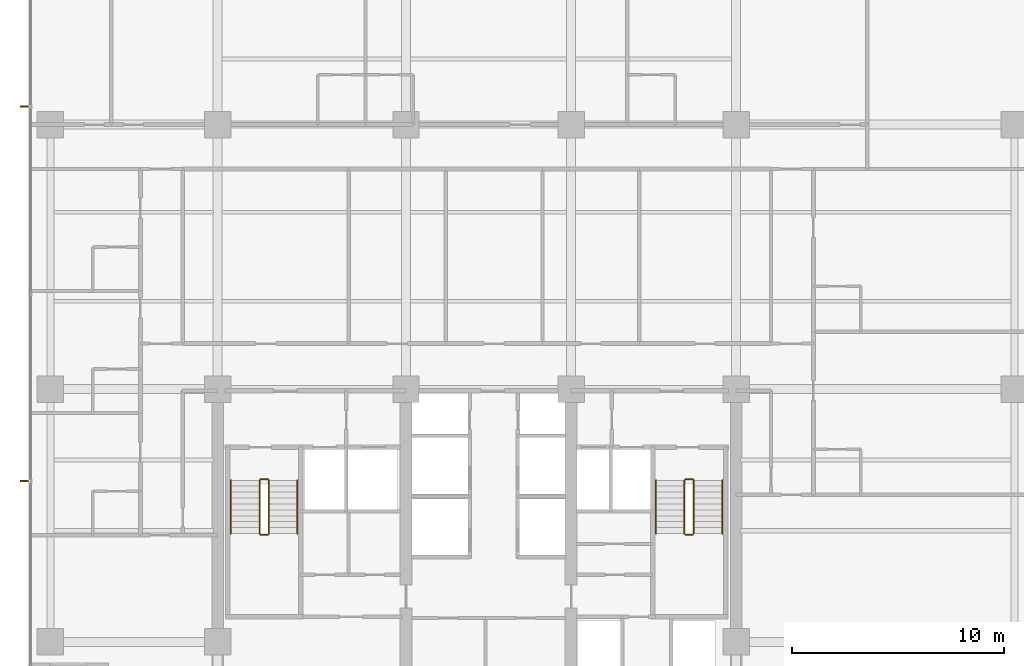
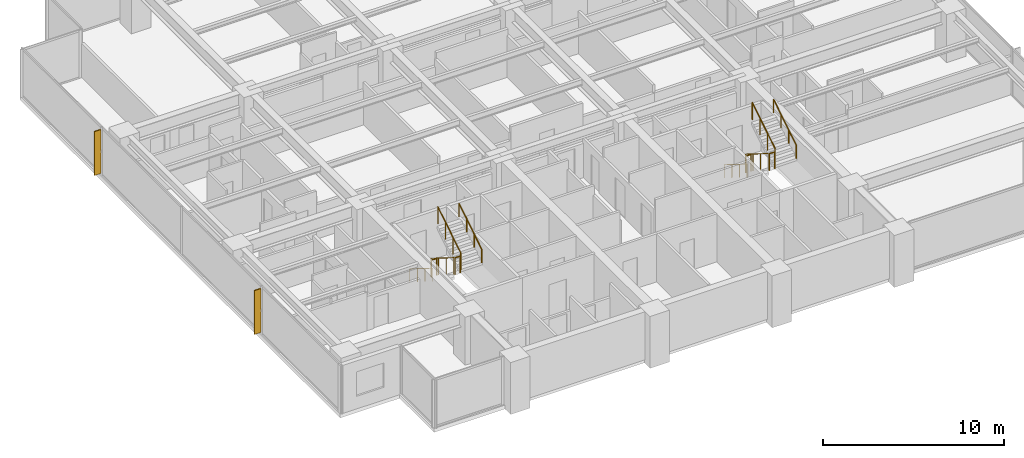
# One storey, part 16 of 17: 12 railings, 2 shading devices.
"""IFC4 building model written with IfcOpenShell, lengths in metres."""

from ifc_helpers import new_model, si_unit, direction, frame, origin, origin_2d, place, context, subcontext, project, spatial, polyline, circle, outline, extrude, material, layer, layer_set, type_object, element, save


model = new_model("IFC4")

# Units and contexts
model_context = context("Model", 3, precision=1e-05, world=origin(), true_north=direction((0.0, 1.0)))
body_context = subcontext(model_context, "Body", "Model", "MODEL_VIEW")
ifc_project = project(units=[si_unit("LENGTHUNIT", "METRE"), si_unit("AREAUNIT", "SQUARE_METRE"), si_unit("VOLUMEUNIT", "CUBIC_METRE"), si_unit("PLANEANGLEUNIT", "RADIAN"), si_unit("MASSUNIT", "GRAM", prefix="KILO")], contexts=[model_context])

# Site, building, storey
site_placement = place(None, origin())
site = spatial("IfcSite", under=ifc_project, at=site_placement, CompositionType="ELEMENT")
building_placement = place(site_placement, origin())
building = spatial("IfcBuilding", under=site, at=building_placement, Name="Qalmaran Belvedere Hotel", CompositionType="ELEMENT")
storey_placement = place(building_placement, frame((0.0, 0.0, 112.699951171875)))
storey = spatial("IfcBuildingStorey", under=building, at=storey_placement, Name="L28", CompositionType="ELEMENT", Elevation=112.699951171875)

# Shading devices
ifc_material_1 = material(Name="Anodised Bronze Aluminium", Category="aluminium")
ifc_layer = layer(ifc_material_1, 0.06494140625, Name="Anodised Bronze Aluminium")
ifc_layer_set = layer_set([ifc_layer], Name="Anodised Bronze Aluminium")
shading_device_type = type_object("IfcShadingDeviceType", Name="FIN-BRNZ-420", PredefinedType="USERDEFINED", material=ifc_layer_set)
shading_device_1_placement = place(storey_placement, frame((0.0, 0.0, 0.16015625)))
element("IfcShadingDevice", 1, at=shading_device_1_placement, inside=storey, type_object=shading_device_type, Name="L28 Bronze Fin 1", ObjectType="FIN", PredefinedType="USERDEFINED", context=body_context, shape_type="SweptSolid", body=[
    extrude(outline(polyline([(11.3798828125, 33.882568359375), (10.9599609375, 33.882568359375), (10.9599609375, 33.8173828125), (11.3798828125, 33.8173828125), (11.3798828125, 33.882568359375)])), origin(), (0.0, 0.0, 1.0), 2.9599609375),
])
shading_device_2_placement = place(storey_placement, frame((0.0, 0.0, 0.16015625)))
element("IfcShadingDevice", 2, at=shading_device_2_placement, inside=storey, type_object=shading_device_type, Name="L28 Bronze Fin 3", ObjectType="FIN", PredefinedType="USERDEFINED", context=body_context, shape_type="SweptSolid", body=[
    extrude(outline(polyline([(11.3798828125, 16.1826171875), (10.9599609375, 16.1826171875), (10.9599609375, 16.117431640625), (11.3798828125, 16.117431640625), (11.3798828125, 16.1826171875)])), origin(), (0.0, 0.0, 1.0), 2.9599609375),
])

# Railings
ifc_material_2 = material(Name="Stainless Steel 1.4401", Category="steel")
railing_type_1 = type_object("IfcRailingType", Name="RLG-STAIR-GUARD-1150", PredefinedType="GUARDRAIL", material=ifc_material_2)
railing_1_placement = place(storey_placement, frame((22.280029296875, 16.18994140625, 0.175048828125)))
element("IfcRailing", 3, at=railing_1_placement, inside=storey, type_object=railing_type_1, Name="L28 ST-1 stair guard 1", PredefinedType="GUARDRAIL", context=body_context, shape_type="SweptSolid", body=[
    extrude(circle(Radius=0.02392578125, at=origin_2d()), frame((0.0, 0.0, 1.1259765625), z_axis=(0.0, -0.848007534815, 0.529984170421), x_axis=(1.0, 0.0, 0.0)), (0.0, 0.0, 1.0), 2.9716796875),
    extrude(circle(Radius=0.02099609375, at=origin_2d()), origin(), (0.0, 0.0, 1.0), 1.101806640625),
    extrude(circle(Radius=0.02099609375, at=origin_2d()), frame((0.0, -0.840087890625, 0.52490234375)), (0.0, 0.0, 1.0), 1.101806640625),
    extrude(circle(Radius=0.02099609375, at=origin_2d()), frame((0.0, -1.679931640625, 1.050048828125)), (0.0, 0.0, 1.0), 1.101806640625),
    extrude(circle(Radius=0.02099609375, at=origin_2d()), frame((0.0, -2.52001953125, 1.574951171875)), (0.0, 0.0, 1.0), 1.101806640625),
])
railing_2_placement = place(storey_placement, frame((22.330078125, 13.6201171875, 1.75)))
element("IfcRailing", 4, at=railing_2_placement, inside=storey, type_object=railing_type_1, Name="L28 ST-1 stair guard 2", PredefinedType="GUARDRAIL", context=body_context, shape_type="SweptSolid", body=[
    extrude(circle(Radius=0.02392578125, at=origin_2d()), frame((0.0, 0.0, 1.1259765625), z_axis=(1.0, 0.0, 0.0), x_axis=(0.0, 1.0, 0.0)), (0.0, 0.0, 1.0), 0.33984375),
    extrude(circle(Radius=0.02099609375, at=origin_2d()), origin(), (0.0, 0.0, 1.0), 1.101806640625),
    extrude(circle(Radius=0.02099609375, at=origin_2d()), frame((0.33984375, 0.0, 0.0)), (0.0, 0.0, 1.0), 1.101806640625),
])
railing_3_placement = place(storey_placement, frame((22.719970703125, 13.669921875, 1.925048828125)))
element("IfcRailing", 5, at=railing_3_placement, inside=storey, type_object=railing_type_1, Name="L28 ST-1 stair guard 3", PredefinedType="GUARDRAIL", context=body_context, shape_type="SweptSolid", body=[
    extrude(circle(Radius=0.02392578125, at=origin_2d()), frame((0.0, 0.0, 1.1259765625), z_axis=(0.0, 0.848007534815, 0.529984170421), x_axis=(-1.0, 0.0, 0.0)), (0.0, 0.0, 1.0), 2.9716796875),
    extrude(circle(Radius=0.02099609375, at=origin_2d()), origin(), (0.0, 0.0, 1.0), 1.101806640625),
    extrude(circle(Radius=0.02099609375, at=origin_2d()), frame((0.0, 0.840087890625, 0.52490234375)), (0.0, 0.0, 1.0), 1.101806640625),
    extrude(circle(Radius=0.02099609375, at=origin_2d()), frame((0.0, 1.679931640625, 1.050048828125)), (0.0, 0.0, 1.0), 1.101806640625),
    extrude(circle(Radius=0.02099609375, at=origin_2d()), frame((0.0, 2.52001953125, 1.574951171875)), (0.0, 0.0, 1.0), 1.101806640625),
])
railing_4_placement = place(storey_placement, frame((22.330078125, 16.239990234375, 0.0)))
element("IfcRailing", 6, at=railing_4_placement, inside=storey, type_object=railing_type_1, Name="L28 ST-1 stair guard 4", PredefinedType="GUARDRAIL", context=body_context, shape_type="SweptSolid", body=[
    extrude(circle(Radius=0.02392578125, at=origin_2d()), frame((0.0, 0.0, 1.1259765625), z_axis=(1.0, 0.0, 0.0), x_axis=(0.0, 1.0, 0.0)), (0.0, 0.0, 1.0), 0.33984375),
    extrude(circle(Radius=0.02099609375, at=origin_2d()), origin(), (0.0, 0.0, 1.0), 1.101806640625),
    extrude(circle(Radius=0.02099609375, at=origin_2d()), frame((0.33984375, 0.0, 0.0)), (0.0, 0.0, 1.0), 1.101806640625),
])
railing_5_placement = place(storey_placement, frame((42.360107421875, 16.18994140625, 0.175048828125)))
element("IfcRailing", 7, at=railing_5_placement, inside=storey, type_object=railing_type_1, Name="L28 ST-2 stair guard 1", PredefinedType="GUARDRAIL", context=body_context, shape_type="SweptSolid", body=[
    extrude(circle(Radius=0.02392578125, at=origin_2d()), frame((0.0, 0.0, 1.1259765625), z_axis=(0.0, -0.848007534815, 0.529984170421), x_axis=(1.0, 0.0, 0.0)), (0.0, 0.0, 1.0), 2.9716796875),
    extrude(circle(Radius=0.02099609375, at=origin_2d()), origin(), (0.0, 0.0, 1.0), 1.101806640625),
    extrude(circle(Radius=0.02099609375, at=origin_2d()), frame((0.0, -0.840087890625, 0.52490234375)), (0.0, 0.0, 1.0), 1.101806640625),
    extrude(circle(Radius=0.02099609375, at=origin_2d()), frame((0.0, -1.679931640625, 1.050048828125)), (0.0, 0.0, 1.0), 1.101806640625),
    extrude(circle(Radius=0.02099609375, at=origin_2d()), frame((0.0, -2.52001953125, 1.574951171875)), (0.0, 0.0, 1.0), 1.101806640625),
])
railing_6_placement = place(storey_placement, frame((42.409912109375, 13.6201171875, 1.75)))
element("IfcRailing", 8, at=railing_6_placement, inside=storey, type_object=railing_type_1, Name="L28 ST-2 stair guard 2", PredefinedType="GUARDRAIL", context=body_context, shape_type="SweptSolid", body=[
    extrude(circle(Radius=0.02392578125, at=origin_2d()), frame((0.0, 0.0, 1.1259765625), z_axis=(1.0, 0.0, 0.0), x_axis=(0.0, 1.0, 0.0)), (0.0, 0.0, 1.0), 0.340087890625),
    extrude(circle(Radius=0.02099609375, at=origin_2d()), origin(), (0.0, 0.0, 1.0), 1.101806640625),
    extrude(circle(Radius=0.02099609375, at=origin_2d()), frame((0.340087890625, 0.0, 0.0)), (0.0, 0.0, 1.0), 1.101806640625),
])
railing_7_placement = place(storey_placement, frame((42.800048828125, 13.669921875, 1.925048828125)))
element("IfcRailing", 9, at=railing_7_placement, inside=storey, type_object=railing_type_1, Name="L28 ST-2 stair guard 3", PredefinedType="GUARDRAIL", context=body_context, shape_type="SweptSolid", body=[
    extrude(circle(Radius=0.02392578125, at=origin_2d()), frame((0.0, 0.0, 1.1259765625), z_axis=(0.0, 0.848007534815, 0.529984170421), x_axis=(-1.0, 0.0, 0.0)), (0.0, 0.0, 1.0), 2.9716796875),
    extrude(circle(Radius=0.02099609375, at=origin_2d()), origin(), (0.0, 0.0, 1.0), 1.101806640625),
    extrude(circle(Radius=0.02099609375, at=origin_2d()), frame((0.0, 0.840087890625, 0.52490234375)), (0.0, 0.0, 1.0), 1.101806640625),
    extrude(circle(Radius=0.02099609375, at=origin_2d()), frame((0.0, 1.679931640625, 1.050048828125)), (0.0, 0.0, 1.0), 1.101806640625),
    extrude(circle(Radius=0.02099609375, at=origin_2d()), frame((0.0, 2.52001953125, 1.574951171875)), (0.0, 0.0, 1.0), 1.101806640625),
])
railing_8_placement = place(storey_placement, frame((42.409912109375, 16.239990234375, 0.0)))
element("IfcRailing", 10, at=railing_8_placement, inside=storey, type_object=railing_type_1, Name="L28 ST-2 stair guard 4", PredefinedType="GUARDRAIL", context=body_context, shape_type="SweptSolid", body=[
    extrude(circle(Radius=0.02392578125, at=origin_2d()), frame((0.0, 0.0, 1.1259765625), z_axis=(1.0, 0.0, 0.0), x_axis=(0.0, 1.0, 0.0)), (0.0, 0.0, 1.0), 0.340087890625),
    extrude(circle(Radius=0.02099609375, at=origin_2d()), origin(), (0.0, 0.0, 1.0), 1.101806640625),
    extrude(circle(Radius=0.02099609375, at=origin_2d()), frame((0.340087890625, 0.0, 0.0)), (0.0, 0.0, 1.0), 1.101806640625),
])
railing_type_2 = type_object("IfcRailingType", Name="RLG-STAIR-HAND-910", PredefinedType="HANDRAIL", material=ifc_material_2)
railing_9_placement = place(storey_placement, frame((20.929931640625, 16.18994140625, 0.175048828125)))
element("IfcRailing", 11, at=railing_9_placement, inside=storey, type_object=railing_type_2, Name="L28 ST-1 stair handrail 1", PredefinedType="HANDRAIL", context=body_context, shape_type="SweptSolid", body=[
    extrude(circle(Radius=0.02392578125, at=origin_2d()), frame((0.0, 0.0, 0.8857421875), z_axis=(0.0, -0.848007534815, 0.529984170421), x_axis=(1.0, 0.0, 0.0)), (0.0, 0.0, 1.0), 2.9716796875),
    extrude(circle(Radius=0.02099609375, at=origin_2d()), origin(), (0.0, 0.0, 1.0), 0.86181640625),
    extrude(circle(Radius=0.02099609375, at=origin_2d()), frame((0.0, -0.840087890625, 0.52490234375)), (0.0, 0.0, 1.0), 0.86181640625),
    extrude(circle(Radius=0.02099609375, at=origin_2d()), frame((0.0, -1.679931640625, 1.050048828125)), (0.0, 0.0, 1.0), 0.86181640625),
    extrude(circle(Radius=0.02099609375, at=origin_2d()), frame((0.0, -2.52001953125, 1.574951171875)), (0.0, 0.0, 1.0), 0.86181640625),
])
railing_10_placement = place(storey_placement, frame((24.070068359375, 13.669921875, 1.925048828125)))
element("IfcRailing", 12, at=railing_10_placement, inside=storey, type_object=railing_type_2, Name="L28 ST-1 stair handrail 2", PredefinedType="HANDRAIL", context=body_context, shape_type="SweptSolid", body=[
    extrude(circle(Radius=0.02392578125, at=origin_2d()), frame((0.0, 0.0, 0.8857421875), z_axis=(0.0, 0.848007534815, 0.529984170421), x_axis=(-1.0, 0.0, 0.0)), (0.0, 0.0, 1.0), 2.9716796875),
    extrude(circle(Radius=0.02099609375, at=origin_2d()), origin(), (0.0, 0.0, 1.0), 0.86181640625),
    extrude(circle(Radius=0.02099609375, at=origin_2d()), frame((0.0, 0.840087890625, 0.52490234375)), (0.0, 0.0, 1.0), 0.86181640625),
    extrude(circle(Radius=0.02099609375, at=origin_2d()), frame((0.0, 1.679931640625, 1.050048828125)), (0.0, 0.0, 1.0), 0.86181640625),
    extrude(circle(Radius=0.02099609375, at=origin_2d()), frame((0.0, 2.52001953125, 1.574951171875)), (0.0, 0.0, 1.0), 0.86181640625),
])
railing_11_placement = place(storey_placement, frame((41.010009765625, 16.18994140625, 0.175048828125)))
element("IfcRailing", 13, at=railing_11_placement, inside=storey, type_object=railing_type_2, Name="L28 ST-2 stair handrail 1", PredefinedType="HANDRAIL", context=body_context, shape_type="SweptSolid", body=[
    extrude(circle(Radius=0.02392578125, at=origin_2d()), frame((0.0, 0.0, 0.8857421875), z_axis=(0.0, -0.848007534815, 0.529984170421), x_axis=(1.0, 0.0, 0.0)), (0.0, 0.0, 1.0), 2.9716796875),
    extrude(circle(Radius=0.02099609375, at=origin_2d()), origin(), (0.0, 0.0, 1.0), 0.86181640625),
    extrude(circle(Radius=0.02099609375, at=origin_2d()), frame((0.0, -0.840087890625, 0.52490234375)), (0.0, 0.0, 1.0), 0.86181640625),
    extrude(circle(Radius=0.02099609375, at=origin_2d()), frame((0.0, -1.679931640625, 1.050048828125)), (0.0, 0.0, 1.0), 0.86181640625),
    extrude(circle(Radius=0.02099609375, at=origin_2d()), frame((0.0, -2.52001953125, 1.574951171875)), (0.0, 0.0, 1.0), 0.86181640625),
])
railing_12_placement = place(storey_placement, frame((44.14990234375, 13.669921875, 1.925048828125)))
element("IfcRailing", 14, at=railing_12_placement, inside=storey, type_object=railing_type_2, Name="L28 ST-2 stair handrail 2", PredefinedType="HANDRAIL", context=body_context, shape_type="SweptSolid", body=[
    extrude(circle(Radius=0.02392578125, at=origin_2d()), frame((0.0, 0.0, 0.8857421875), z_axis=(0.0, 0.848007534815, 0.529984170421), x_axis=(-1.0, 0.0, 0.0)), (0.0, 0.0, 1.0), 2.9716796875),
    extrude(circle(Radius=0.02099609375, at=origin_2d()), origin(), (0.0, 0.0, 1.0), 0.86181640625),
    extrude(circle(Radius=0.02099609375, at=origin_2d()), frame((0.0, 0.840087890625, 0.52490234375)), (0.0, 0.0, 1.0), 0.86181640625),
    extrude(circle(Radius=0.02099609375, at=origin_2d()), frame((0.0, 1.679931640625, 1.050048828125)), (0.0, 0.0, 1.0), 0.86181640625),
    extrude(circle(Radius=0.02099609375, at=origin_2d()), frame((0.0, 2.52001953125, 1.574951171875)), (0.0, 0.0, 1.0), 0.86181640625),
])

save(model, "model.ifc")
